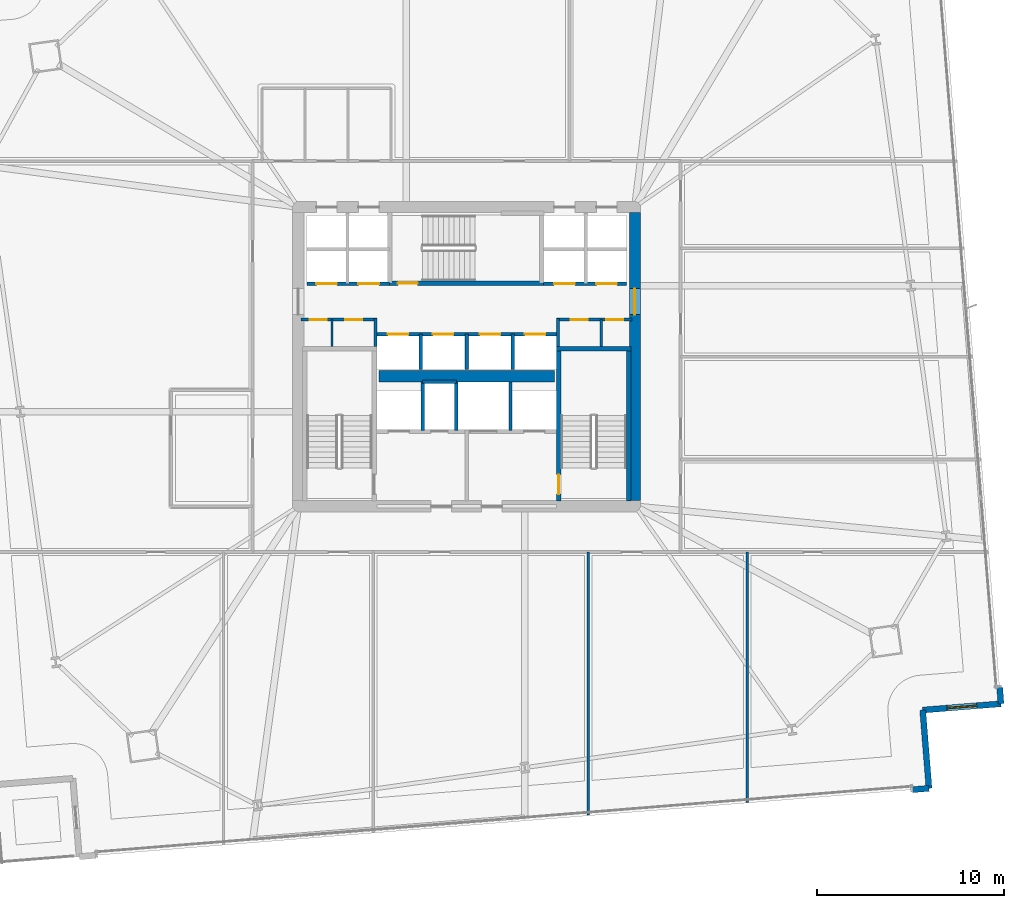
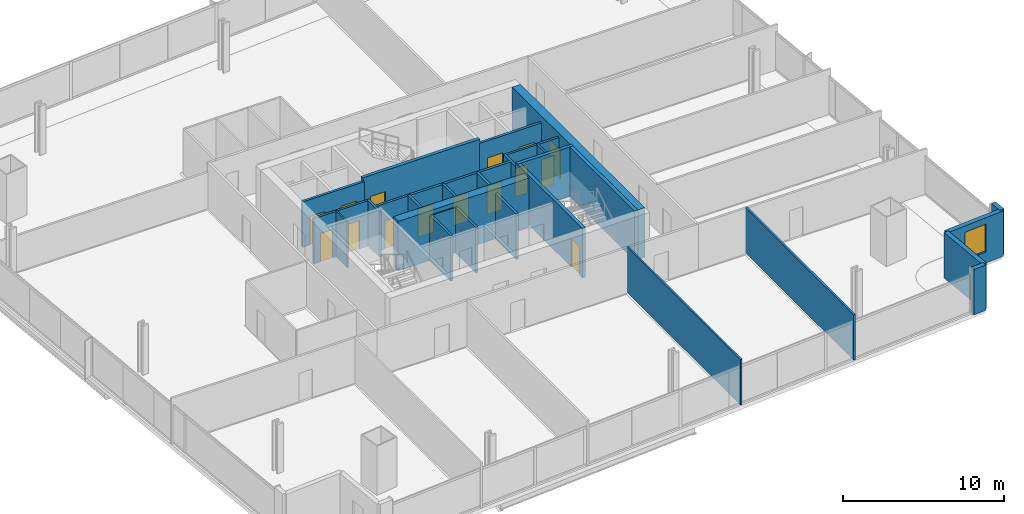
# One storey, part 26 of 33: 28 walls, 15 doors, 1 window, 16 openings.
"""IFC4 building model written with IfcOpenShell, lengths in metres."""

from ifc_helpers import new_model, si_unit, direction, frame, frame_2d, origin, place, context, subcontext, project, spatial, rectangle, extrude, material, layer, layer_set, type_object, element, fill, save


model = new_model("IFC4")

# Units and contexts
model_context = context("Model", 3, precision=1e-05, world=origin(), true_north=direction((0.0, 1.0)))
body_context = subcontext(model_context, "Body", "Model", "MODEL_VIEW")
ifc_project = project(units=[si_unit("LENGTHUNIT", "METRE"), si_unit("AREAUNIT", "SQUARE_METRE"), si_unit("VOLUMEUNIT", "CUBIC_METRE"), si_unit("PLANEANGLEUNIT", "RADIAN"), si_unit("MASSUNIT", "GRAM", prefix="KILO")], contexts=[model_context])

# Site, building, storey
site_placement = place(None, origin())
site = spatial("IfcSite", under=ifc_project, at=site_placement, CompositionType="ELEMENT")
building_placement = place(site_placement, origin())
building = spatial("IfcBuilding", under=site, at=building_placement, Name="Haldenkirk Collegiate Tower", CompositionType="ELEMENT")
storey_placement = place(building_placement, frame((0.0, 0.0, 43.949951171875)))
storey = spatial("IfcBuildingStorey", under=building, at=storey_placement, Name="L09", CompositionType="ELEMENT", Elevation=43.949951171875)

# Wall, opening, door
ifc_material_1 = material(Name="Concrete f'c 70 MPa", Category="concrete")
ifc_layer_1 = layer(ifc_material_1, 0.60009765625)
ifc_layer_set_1 = layer_set([ifc_layer_1], Name="Concrete f'c 70 MPa")
wall_type_1 = type_object("IfcWallType", Name="WL-CORE-600", PredefinedType="SHEAR", material=ifc_layer_set_1)
wall_1_placement = place(storey_placement, frame((45.0, 18.300048828125, 0.0), z_axis=(0.0, 0.0, 1.0), x_axis=(0.0, 1.0, 0.0)))
wall_1 = element("IfcWall", 1, at=wall_1_placement, inside=storey, type_object=wall_type_1, Name="L09 central core shear wall E", PredefinedType="SHEAR", context=body_context, shape_type="SweptSolid", body=[
    extrude(rectangle(XDim=15.39990234375, YDim=0.60009765625, at=frame_2d((7.699951171875, 0.0))), origin(), (0.0, 0.0, 1.0), 3.75),
])
opening_1_placement = place(wall_1_placement, frame((9.93994140625, 0.0, 0.0)))
opening_1 = element("IfcOpeningElement", 2, at=opening_1_placement, cuts=wall_1, Name="Opening D-03", PredefinedType="OPENING", context=body_context, shape_type="SweptSolid", body=[
    extrude(rectangle(XDim=1.39990234375, YDim=2.199951171875, at=frame_2d((0.699951171875, 1.10009765625))), frame((0.0, 0.31005859375, 0.0), z_axis=(0.0, -1.0, 0.0), x_axis=(1.0, 0.0, 0.0)), (0.0, 0.0, 1.0), 0.6201171875),
])
ifc_material_2 = material(Name="Galvanized fire-rated hollow steel door", Category="steel")
ifc_layer_2 = layer(ifc_material_2, 0.06005859375)
ifc_layer_set_2 = layer_set([ifc_layer_2], Name="Galvanized fire-rated hollow steel door")
door_type_1 = type_object("IfcDoorType", Name="DR-LOBBY-FD90-1400", OperationType="NOTDEFINED", PredefinedType="DOOR", material=ifc_layer_set_2)
door_1_placement = place(opening_1_placement, origin())
door_1 = element("IfcDoor", 3, at=door_1_placement, inside=storey, type_object=door_type_1, Name="L09 east lift lobby portal", OperationType="DOUBLE_DOOR_SINGLE_SWING", OverallHeight=2.199951171875, OverallWidth=1.39990234375, PredefinedType="DOOR", context=body_context, shape_type="SweptSolid", body=[
    extrude(rectangle(XDim=1.39990234375, YDim=2.199951171875, at=frame_2d((0.699951171875, 1.10009765625))), frame((0.0, 0.02490234375, 0.0), z_axis=(0.0, -1.0, 0.0), x_axis=(1.0, 0.0, 0.0)), (0.0, 0.0, 1.0), 0.050048828125),
])
fill(opening_1, door_1)

# Walls
wall_2_placement = place(storey_placement, frame((31.31005859375, 24.949951171875, 0.0), z_axis=(0.0, 0.0, 1.0), x_axis=(1.0, 0.0, 0.0)))
element("IfcWall", 4, at=wall_2_placement, inside=storey, type_object=wall_type_1, Name="L09 central core spine shear wall", PredefinedType="SHEAR", context=body_context, shape_type="SweptSolid", body=[
    extrude(rectangle(XDim=9.3798828125, YDim=0.60009765625, at=frame_2d((4.68994140625, 0.0))), origin(), (0.0, 0.0, 1.0), 3.75),
])
ifc_material_3 = material(Name="Precast concrete f'c 40 MPa", Category="concrete")
ifc_layer_3 = layer(ifc_material_3, 0.320068359375)
ifc_layer_set_3 = layer_set([ifc_layer_3], Name="Precast concrete f'c 40 MPa")
wall_type_2 = type_object("IfcWallType", Name="WL-EXT-TWR-320", PredefinedType="STANDARD", material=ifc_layer_set_3)
wall_3_placement = place(storey_placement, frame((60.7314453125, 2.9091796875, 0.0), z_axis=(0.0, 0.0, 1.0), x_axis=(-0.996770262962, -0.080305932999, 0.0)))
element("IfcWall", 5, at=wall_3_placement, inside=storey, type_object=wall_type_2, Name="L09 precast corner pier SL", PredefinedType="STANDARD", context=body_context, shape_type="SweptSolid", body=[
    extrude(rectangle(XDim=0.89990234375, YDim=0.320068359375, at=frame_2d((0.449951171875, 0.0))), origin(), (0.0, 0.0, 1.0), 3.43994140625),
])
wall_4_placement = place(storey_placement, frame((60.394775390625, 7.095458984375, 0.0), z_axis=(0.0, 0.0, 1.0), x_axis=(0.080163411253, -0.996781735134, 0.0)))
element("IfcWall", 6, at=wall_4_placement, inside=storey, type_object=wall_type_2, Name="L09 bronze precast notch wall 02", PredefinedType="STANDARD", context=body_context, shape_type="SweptSolid", body=[
    extrude(rectangle(XDim=4.19970703125, YDim=0.320068359375, at=frame_2d((2.099853515625, 0.0))), origin(), (0.0, 0.0, 1.0), 3.43994140625),
])

# Wall, opening, window
wall_5_placement = place(storey_placement, frame((64.581298828125, 7.432373046875, 0.0), z_axis=(0.0, 0.0, 1.0), x_axis=(-0.996777462523, -0.080216520777, 0.0)))
wall_5 = element("IfcWall", 7, at=wall_5_placement, inside=storey, type_object=wall_type_2, Name="L09 bronze precast notch wall 03", PredefinedType="STANDARD", context=body_context, shape_type="SweptSolid", body=[
    extrude(rectangle(XDim=4.199951171875, YDim=0.320068359375, at=frame_2d((2.10009765625, 0.0))), origin(), (0.0, 0.0, 1.0), 3.43994140625),
])
opening_2_placement = place(wall_5_placement, frame((1.300048828125, 0.0, 0.85009765625)))
opening_2 = element("IfcOpeningElement", 8, at=opening_2_placement, cuts=wall_5, Name="Opening W-03", PredefinedType="OPENING", context=body_context, shape_type="SweptSolid", body=[
    extrude(rectangle(XDim=1.60009765625, YDim=2.10009765625, at=frame_2d((0.800048828125, 1.050048828125))), frame((0.0, 0.169921875, 0.0), z_axis=(0.0, -1.0, 0.0), x_axis=(1.0, 0.0, 0.0)), (0.0, 0.0, 1.0), 0.340087890625),
])
ifc_material_4 = material(Name="Low-E argon triple insulating glass", Category="glass")
ifc_layer_4 = layer(ifc_material_4, 0.090087890625)
ifc_layer_set_4 = layer_set([ifc_layer_4], Name="Low-E argon triple insulating glass")
window_type = type_object("IfcWindowType", Name="WN-Z1-1600X2100", PartitioningType="SINGLE_PANEL", PredefinedType="WINDOW", material=ifc_layer_set_4)
window_placement = place(opening_2_placement, origin())
window = element("IfcWindow", 9, at=window_placement, inside=storey, type_object=window_type, Name="L09 precast-frame academic window 2", OverallHeight=2.10009765625, OverallWidth=1.60009765625, PartitioningType="SINGLE_PANEL", PredefinedType="WINDOW", context=body_context, shape_type="SweptSolid", body=[
    extrude(rectangle(XDim=1.60009765625, YDim=2.10009765625, at=frame_2d((0.800048828125, 1.050048828125))), frame((0.0, 0.030029296875, 0.0), z_axis=(0.0, -1.0, 0.0), x_axis=(1.0, 0.0, 0.0)), (0.0, 0.0, 1.0), 0.06005859375),
])
fill(opening_2, window)

# Wall
wall_6_placement = place(storey_placement, frame((64.509033203125, 8.32958984375, 0.0), z_axis=(0.0, 0.0, 1.0), x_axis=(0.080284221911, -0.996772011902, 0.0)))
element("IfcWall", 10, at=wall_6_placement, inside=storey, type_object=wall_type_2, Name="L09 precast corner pier ER", PredefinedType="STANDARD", context=body_context, shape_type="SweptSolid", body=[
    extrude(rectangle(XDim=0.900146484375, YDim=0.320068359375, at=frame_2d((0.4501953125, 0.0))), origin(), (0.0, 0.0, 1.0), 3.43994140625),
])

# Wall, openings, doors
ifc_material_5 = material(Name="Acoustic fire-rated gypsum partition", Category="concrete")
ifc_layer_5 = layer(ifc_material_5, 0.159912109375)
ifc_layer_set_5 = layer_set([ifc_layer_5], Name="Acoustic fire-rated gypsum partition")
wall_type_3 = type_object("IfcWallType", Name="WL-INT-CORR-160", PredefinedType="PARTITIONING", material=ifc_layer_set_5)
wall_7_placement = place(storey_placement, frame((27.14990234375, 27.97998046875, 0.0), z_axis=(0.0, 0.0, 1.0), x_axis=(1.0, 0.0, 0.0)))
wall_7 = element("IfcWall", 11, at=wall_7_placement, inside=storey, type_object=wall_type_3, Name="L09 interior partition IW-L09-VCSW-N", PredefinedType="PARTITIONING", context=body_context, shape_type="SweptSolid", body=[
    extrude(rectangle(XDim=4.050048828125, YDim=0.159912109375, at=frame_2d((2.02490234375, 0.0))), origin(), (0.0, 0.0, 1.0), 3.43994140625),
])
opening_3_placement = place(wall_7_placement, frame((0.469970703125, 0.0, 0.0)))
opening_3 = element("IfcOpeningElement", 12, at=opening_3_placement, cuts=wall_7, Name="Opening D-11", PredefinedType="OPENING", context=body_context, shape_type="SweptSolid", body=[
    extrude(rectangle(XDim=0.89990234375, YDim=2.14990234375, at=frame_2d((0.449951171875, 1.074951171875))), frame((0.0, 0.08984375, 0.0), z_axis=(0.0, -1.0, 0.0), x_axis=(1.0, 0.0, 0.0)), (0.0, 0.0, 1.0), 0.179931640625),
])
opening_4_placement = place(wall_7_placement, frame((2.360107421875, 0.0, 0.0)))
opening_4 = element("IfcOpeningElement", 13, at=opening_4_placement, cuts=wall_7, Name="Opening D-11", PredefinedType="OPENING", context=body_context, shape_type="SweptSolid", body=[
    extrude(rectangle(XDim=0.89990234375, YDim=2.14990234375, at=frame_2d((0.449951171875, 1.074951171875))), frame((0.0, 0.08984375, 0.0), z_axis=(0.0, -1.0, 0.0), x_axis=(1.0, 0.0, 0.0)), (0.0, 0.0, 1.0), 0.179931640625),
])
ifc_material_6 = material(Name="Solid-core architectural oak fire door", Category="wood")
ifc_layer_6 = layer(ifc_material_6, 0.06005859375)
ifc_layer_set_6 = layer_set([ifc_layer_6], Name="Solid-core architectural oak fire door")
door_type_2 = type_object("IfcDoorType", Name="DR-INT-FD60-900", OperationType="NOTDEFINED", PredefinedType="DOOR", material=ifc_layer_set_6)
door_2_placement = place(opening_3_placement, origin())
door_2 = element("IfcDoor", 14, at=door_2_placement, inside=storey, type_object=door_type_2, Name="L09 core AV closet door", OperationType="SINGLE_SWING_RIGHT", OverallHeight=2.14990234375, OverallWidth=0.89990234375, PredefinedType="DOOR", context=body_context, shape_type="SweptSolid", body=[
    extrude(rectangle(XDim=0.89990234375, YDim=2.14990234375, at=frame_2d((0.449951171875, 1.074951171875))), frame((0.0, 0.02490234375, 0.0), z_axis=(0.0, -1.0, 0.0), x_axis=(1.0, 0.0, 0.0)), (0.0, 0.0, 1.0), 0.050048828125),
])
fill(opening_3, door_2)
door_3_placement = place(opening_4_placement, origin())
door_3 = element("IfcDoor", 15, at=door_3_placement, inside=storey, type_object=door_type_2, Name="L09 core supply closet door", OperationType="SINGLE_SWING_LEFT", OverallHeight=2.14990234375, OverallWidth=0.89990234375, PredefinedType="DOOR", context=body_context, shape_type="SweptSolid", body=[
    extrude(rectangle(XDim=0.89990234375, YDim=2.14990234375, at=frame_2d((0.449951171875, 1.074951171875))), frame((0.0, 0.02490234375, 0.0), z_axis=(0.0, -1.0, 0.0), x_axis=(1.0, 0.0, 0.0)), (0.0, 0.0, 1.0), 0.050048828125),
])
fill(opening_4, door_3)

# Wall
wall_8_placement = place(storey_placement, frame((31.1201171875, 26.5400390625, 0.0), z_axis=(0.0, 0.0, 1.0), x_axis=(0.0, 1.0, 0.0)))
element("IfcWall", 16, at=wall_8_placement, inside=storey, type_object=wall_type_3, Name="L09 interior partition IW-L09-VCSW-E", PredefinedType="PARTITIONING", context=body_context, shape_type="SweptSolid", body=[
    extrude(rectangle(XDim=1.510009765625, YDim=0.159912109375, at=frame_2d((0.7548828125, 0.0))), origin(), (0.0, 0.0, 1.0), 3.43994140625),
])

# Wall, openings, doors
wall_9_placement = place(storey_placement, frame((40.800048828125, 27.97998046875, 0.0), z_axis=(0.0, 0.0, 1.0), x_axis=(1.0, 0.0, 0.0)))
wall_9 = element("IfcWall", 17, at=wall_9_placement, inside=storey, type_object=wall_type_3, Name="L09 interior partition IW-L09-VCSE-N", PredefinedType="PARTITIONING", context=body_context, shape_type="SweptSolid", body=[
    extrude(rectangle(XDim=4.050048828125, YDim=0.159912109375, at=frame_2d((2.02490234375, 0.0))), origin(), (0.0, 0.0, 1.0), 3.43994140625),
])
opening_5_placement = place(wall_9_placement, frame((0.77001953125, 0.0, 0.0)))
opening_5 = element("IfcOpeningElement", 18, at=opening_5_placement, cuts=wall_9, Name="Opening D-11", PredefinedType="OPENING", context=body_context, shape_type="SweptSolid", body=[
    extrude(rectangle(XDim=0.89990234375, YDim=2.14990234375, at=frame_2d((0.449951171875, 1.074951171875))), frame((0.0, 0.08984375, 0.0), z_axis=(0.0, -1.0, 0.0), x_axis=(1.0, 0.0, 0.0)), (0.0, 0.0, 1.0), 0.179931640625),
])
opening_6_placement = place(wall_9_placement, frame((2.679931640625, 0.0, 0.0)))
opening_6 = element("IfcOpeningElement", 19, at=opening_6_placement, cuts=wall_9, Name="Opening D-11", PredefinedType="OPENING", context=body_context, shape_type="SweptSolid", body=[
    extrude(rectangle(XDim=0.89990234375, YDim=2.14990234375, at=frame_2d((0.449951171875, 1.074951171875))), frame((0.0, 0.08984375, 0.0), z_axis=(0.0, -1.0, 0.0), x_axis=(1.0, 0.0, 0.0)), (0.0, 0.0, 1.0), 0.179931640625),
])
door_4_placement = place(opening_5_placement, origin())
door_4 = element("IfcDoor", 20, at=door_4_placement, inside=storey, type_object=door_type_2, Name="L09 core archive door", OperationType="SINGLE_SWING_RIGHT", OverallHeight=2.14990234375, OverallWidth=0.89990234375, PredefinedType="DOOR", context=body_context, shape_type="SweptSolid", body=[
    extrude(rectangle(XDim=0.89990234375, YDim=2.14990234375, at=frame_2d((0.449951171875, 1.074951171875))), frame((0.0, 0.02490234375, 0.0), z_axis=(0.0, -1.0, 0.0), x_axis=(1.0, 0.0, 0.0)), (0.0, 0.0, 1.0), 0.050048828125),
])
fill(opening_5, door_4)
door_5_placement = place(opening_6_placement, origin())
door_5 = element("IfcDoor", 21, at=door_5_placement, inside=storey, type_object=door_type_2, Name="L09 core telecom door", OperationType="SINGLE_SWING_LEFT", OverallHeight=2.14990234375, OverallWidth=0.89990234375, PredefinedType="DOOR", context=body_context, shape_type="SweptSolid", body=[
    extrude(rectangle(XDim=0.89990234375, YDim=2.14990234375, at=frame_2d((0.449951171875, 1.074951171875))), frame((0.0, 0.02490234375, 0.0), z_axis=(0.0, -1.0, 0.0), x_axis=(1.0, 0.0, 0.0)), (0.0, 0.0, 1.0), 0.050048828125),
])
fill(opening_6, door_5)

# Walls
wall_10_placement = place(storey_placement, frame((40.8798828125, 26.5400390625, 0.0), z_axis=(0.0, 0.0, 1.0), x_axis=(0.0, 1.0, 0.0)))
element("IfcWall", 22, at=wall_10_placement, inside=storey, type_object=wall_type_3, Name="L09 interior partition IW-L09-VCSE-W", PredefinedType="PARTITIONING", context=body_context, shape_type="SweptSolid", body=[
    extrude(rectangle(XDim=1.510009765625, YDim=0.159912109375, at=frame_2d((0.7548828125, 0.0))), origin(), (0.0, 0.0, 1.0), 3.43994140625),
])
ifc_layer_7 = layer(ifc_material_5, 0.139892578125)
ifc_layer_set_7 = layer_set([ifc_layer_7], Name="Acoustic fire-rated gypsum partition")
wall_type_4 = type_object("IfcWallType", Name="WL-INT-DIV-140", PredefinedType="PARTITIONING", material=ifc_layer_set_7)
wall_11_placement = place(storey_placement, frame((51.0, 2.166259765625, 0.0), z_axis=(0.0, 0.0, 1.0), x_axis=(0.0, 1.0, 0.0)))
element("IfcWall", 23, at=wall_11_placement, inside=storey, type_object=wall_type_4, Name="L09 interior partition IW-L09-RS4", PredefinedType="PARTITIONING", context=body_context, shape_type="SweptSolid", body=[
    extrude(rectangle(XDim=13.3837890625, YDim=0.139892578125, at=frame_2d((6.69189453125, 0.0))), origin(), (0.0, 0.0, 1.0), 3.43994140625),
])
ifc_material_7 = material(Name="Fire-rated gypsum shaftboard assembly", Category="concrete")
ifc_layer_8 = layer(ifc_material_7, 0.179931640625)
ifc_layer_set_8 = layer_set([ifc_layer_8], Name="Fire-rated gypsum shaftboard assembly")
wall_type_5 = type_object("IfcWallType", Name="WL-INT-SHAFT-180", PredefinedType="PARTITIONING", material=ifc_layer_set_8)
for number, where, z_axis, x_axis, name in (
    (24, (33.64990234375, 22.050048828125, 0.0), (0.0, 0.0, 1.0), (0.0, 1.0, 0.0), "L09 interior partition IW-L09-FL1E"),
    (25, (35.449951171875, 22.050048828125, 0.0), (0.0, 0.0, 1.0), (0.0, 1.0, 0.0), "L09 interior partition IW-L09-GL1W"),
):
    element("IfcWall", number, at=place(storey_placement, frame(where, z_axis=z_axis, x_axis=x_axis)), inside=storey, type_object=wall_type_5, Name=name, PredefinedType="PARTITIONING", context=body_context, shape_type="SweptSolid", body=[
        extrude(rectangle(XDim=2.599853515625, YDim=0.179931640625, at=frame_2d((1.2998046875, 0.0))), origin(), (0.0, 0.0, 1.0), 3.43994140625),
    ])
wall_12_placement = place(storey_placement, frame((33.64990234375, 24.64990234375, 0.0), z_axis=(0.0, 0.0, 1.0), x_axis=(1.0, 0.0, 0.0)))
element("IfcWall", 26, at=wall_12_placement, inside=storey, type_object=wall_type_5, Name="L09 interior partition IW-L09-RSRN", PredefinedType="PARTITIONING", context=body_context, shape_type="SweptSolid", body=[
    extrude(rectangle(XDim=1.800048828125, YDim=0.179931640625, at=frame_2d((0.89990234375, 0.0))), origin(), (0.0, 0.0, 1.0), 3.43994140625),
])
wall_13_placement = place(storey_placement, frame((38.35009765625, 22.050048828125, 0.0), z_axis=(0.0, 0.0, 1.0), x_axis=(0.0, 1.0, 0.0)))
element("IfcWall", 27, at=wall_13_placement, inside=storey, type_object=wall_type_5, Name="L09 interior partition IW-L09-GL1E", PredefinedType="PARTITIONING", context=body_context, shape_type="SweptSolid", body=[
    extrude(rectangle(XDim=2.599853515625, YDim=0.179931640625, at=frame_2d((1.2998046875, 0.0))), origin(), (0.0, 0.0, 1.0), 3.43994140625),
])

# Wall, openings, doors
wall_14_placement = place(storey_placement, frame((27.449951171875, 29.89990234375, 0.0), z_axis=(0.0, 0.0, 1.0), x_axis=(1.0, 0.0, 0.0)))
wall_14 = element("IfcWall", 28, at=wall_14_placement, inside=storey, type_object=wall_type_5, Name="L09 interior partition IW-L09-PLS", PredefinedType="PARTITIONING", context=body_context, shape_type="SweptSolid", body=[
    extrude(rectangle(XDim=4.429931640625, YDim=0.179931640625, at=frame_2d((2.21484375, 0.0))), origin(), (0.0, 0.0, 1.0), 3.43994140625),
])
opening_7_placement = place(wall_14_placement, frame((0.514892578125, 0.0, 0.0)))
opening_7 = element("IfcOpeningElement", 29, at=opening_7_placement, cuts=wall_14, Name="Opening LD-11", PredefinedType="OPENING", context=body_context, shape_type="SweptSolid", body=[
    extrude(rectangle(XDim=1.10009765625, YDim=2.14990234375, at=frame_2d((0.550048828125, 1.074951171875))), frame((0.0, 0.099853515625, 0.0), z_axis=(0.0, -1.0, 0.0), x_axis=(1.0, 0.0, 0.0)), (0.0, 0.0, 1.0), 0.199951171875),
])
opening_8_placement = place(wall_14_placement, frame((2.764892578125, 0.0, 0.0)))
opening_8 = element("IfcOpeningElement", 30, at=opening_8_placement, cuts=wall_14, Name="Opening LD-11", PredefinedType="OPENING", context=body_context, shape_type="SweptSolid", body=[
    extrude(rectangle(XDim=1.10009765625, YDim=2.14990234375, at=frame_2d((0.550048828125, 1.074951171875))), frame((0.0, 0.099853515625, 0.0), z_axis=(0.0, -1.0, 0.0), x_axis=(1.0, 0.0, 0.0)), (0.0, 0.0, 1.0), 0.199951171875),
])
ifc_material_8 = material(Name="Brushed architectural stainless steel", Category="steel")
ifc_layer_9 = layer(ifc_material_8, 0.06005859375)
ifc_layer_set_9 = layer_set([ifc_layer_9], Name="Brushed architectural stainless steel")
door_type_3 = type_object("IfcDoorType", Name="LD-PASS-1100", OperationType="NOTDEFINED", PredefinedType="DOOR", material=ifc_layer_set_9)
door_6_placement = place(opening_7_placement, origin())
door_6 = element("IfcDoor", 31, at=door_6_placement, inside=storey, type_object=door_type_3, Name="L09 Elevator PL1 sliding landing door", OperationType="SLIDING_TO_LEFT", OverallHeight=2.14990234375, OverallWidth=1.10009765625, PredefinedType="DOOR", context=body_context, shape_type="SweptSolid", body=[
    extrude(rectangle(XDim=1.10009765625, YDim=2.14990234375, at=frame_2d((0.550048828125, 1.074951171875))), frame((0.0, 0.02490234375, 0.0), z_axis=(0.0, -1.0, 0.0), x_axis=(1.0, 0.0, 0.0)), (0.0, 0.0, 1.0), 0.050048828125),
])
fill(opening_7, door_6)
door_7_placement = place(opening_8_placement, origin())
door_7 = element("IfcDoor", 32, at=door_7_placement, inside=storey, type_object=door_type_3, Name="L09 Elevator PL2 sliding landing door", OperationType="SLIDING_TO_LEFT", OverallHeight=2.14990234375, OverallWidth=1.10009765625, PredefinedType="DOOR", context=body_context, shape_type="SweptSolid", body=[
    extrude(rectangle(XDim=1.10009765625, YDim=2.14990234375, at=frame_2d((0.550048828125, 1.074951171875))), frame((0.0, 0.02490234375, 0.0), z_axis=(0.0, -1.0, 0.0), x_axis=(1.0, 0.0, 0.0)), (0.0, 0.0, 1.0), 0.050048828125),
])
fill(opening_8, door_7)

wall_15_placement = place(storey_placement, frame((40.1201171875, 29.89990234375, 0.0), z_axis=(0.0, 0.0, 1.0), x_axis=(1.0, 0.0, 0.0)))
wall_15 = element("IfcWall", 33, at=wall_15_placement, inside=storey, type_object=wall_type_5, Name="L09 interior partition IW-L09-PMS", PredefinedType="PARTITIONING", context=body_context, shape_type="SweptSolid", body=[
    extrude(rectangle(XDim=4.429931640625, YDim=0.179931640625, at=frame_2d((2.21484375, 0.0))), origin(), (0.0, 0.0, 1.0), 3.43994140625),
])
opening_9_placement = place(wall_15_placement, frame((0.56494140625, 0.0, 0.0)))
opening_9 = element("IfcOpeningElement", 34, at=opening_9_placement, cuts=wall_15, Name="Opening LD-11", PredefinedType="OPENING", context=body_context, shape_type="SweptSolid", body=[
    extrude(rectangle(XDim=1.10009765625, YDim=2.14990234375, at=frame_2d((0.550048828125, 1.074951171875))), frame((0.0, 0.099853515625, 0.0), z_axis=(0.0, -1.0, 0.0), x_axis=(1.0, 0.0, 0.0)), (0.0, 0.0, 1.0), 0.199951171875),
])
opening_10_placement = place(wall_15_placement, frame((2.81494140625, 0.0, 0.0)))
opening_10 = element("IfcOpeningElement", 35, at=opening_10_placement, cuts=wall_15, Name="Opening LD-11", PredefinedType="OPENING", context=body_context, shape_type="SweptSolid", body=[
    extrude(rectangle(XDim=1.10009765625, YDim=2.14990234375, at=frame_2d((0.550048828125, 1.074951171875))), frame((0.0, 0.099853515625, 0.0), z_axis=(0.0, -1.0, 0.0), x_axis=(1.0, 0.0, 0.0)), (0.0, 0.0, 1.0), 0.199951171875),
])
door_8_placement = place(opening_9_placement, origin())
door_8 = element("IfcDoor", 36, at=door_8_placement, inside=storey, type_object=door_type_3, Name="L09 Elevator PM1 sliding landing door", OperationType="SLIDING_TO_LEFT", OverallHeight=2.14990234375, OverallWidth=1.10009765625, PredefinedType="DOOR", context=body_context, shape_type="SweptSolid", body=[
    extrude(rectangle(XDim=1.10009765625, YDim=2.14990234375, at=frame_2d((0.550048828125, 1.074951171875))), frame((0.0, 0.02490234375, 0.0), z_axis=(0.0, -1.0, 0.0), x_axis=(1.0, 0.0, 0.0)), (0.0, 0.0, 1.0), 0.050048828125),
])
fill(opening_9, door_8)
door_9_placement = place(opening_10_placement, origin())
door_9 = element("IfcDoor", 37, at=door_9_placement, inside=storey, type_object=door_type_3, Name="L09 Elevator PM2 sliding landing door", OperationType="SLIDING_TO_LEFT", OverallHeight=2.14990234375, OverallWidth=1.10009765625, PredefinedType="DOOR", context=body_context, shape_type="SweptSolid", body=[
    extrude(rectangle(XDim=1.10009765625, YDim=2.14990234375, at=frame_2d((0.550048828125, 1.074951171875))), frame((0.0, 0.02490234375, 0.0), z_axis=(0.0, -1.0, 0.0), x_axis=(1.0, 0.0, 0.0)), (0.0, 0.0, 1.0), 0.050048828125),
])
fill(opening_10, door_9)

wall_16_placement = place(storey_placement, frame((31.199951171875, 27.199951171875, 0.0), z_axis=(0.0, 0.0, 1.0), x_axis=(1.0, 0.0, 0.0)))
wall_16 = element("IfcWall", 38, at=wall_16_placement, inside=storey, type_object=wall_type_5, Name="L09 interior partition IW-L09-PHN", PredefinedType="PARTITIONING", context=body_context, shape_type="SweptSolid", body=[
    extrude(rectangle(XDim=9.60009765625, YDim=0.179931640625, at=frame_2d((4.800048828125, 0.0))), origin(), (0.0, 0.0, 1.0), 3.43994140625),
])
opening_11_placement = place(wall_16_placement, frame((0.590087890625, 0.0, 0.0)))
opening_11 = element("IfcOpeningElement", 39, at=opening_11_placement, cuts=wall_16, Name="Opening LD-11", PredefinedType="OPENING", context=body_context, shape_type="SweptSolid", body=[
    extrude(rectangle(XDim=1.10009765625, YDim=2.14990234375, at=frame_2d((0.550048828125, 1.074951171875))), frame((0.0, 0.099853515625, 0.0), z_axis=(0.0, -1.0, 0.0), x_axis=(1.0, 0.0, 0.0)), (0.0, 0.0, 1.0), 0.199951171875),
])
opening_12_placement = place(wall_16_placement, frame((2.989990234375, 0.0, 0.0)))
opening_12 = element("IfcOpeningElement", 40, at=opening_12_placement, cuts=wall_16, Name="Opening LD-11", PredefinedType="OPENING", context=body_context, shape_type="SweptSolid", body=[
    extrude(rectangle(XDim=1.10009765625, YDim=2.14990234375, at=frame_2d((0.550048828125, 1.074951171875))), frame((0.0, 0.099853515625, 0.0), z_axis=(0.0, -1.0, 0.0), x_axis=(1.0, 0.0, 0.0)), (0.0, 0.0, 1.0), 0.199951171875),
])
opening_13_placement = place(wall_16_placement, frame((5.510009765625, 0.0, 0.0)))
opening_13 = element("IfcOpeningElement", 41, at=opening_13_placement, cuts=wall_16, Name="Opening LD-11", PredefinedType="OPENING", context=body_context, shape_type="SweptSolid", body=[
    extrude(rectangle(XDim=1.10009765625, YDim=2.14990234375, at=frame_2d((0.550048828125, 1.074951171875))), frame((0.0, 0.099853515625, 0.0), z_axis=(0.0, -1.0, 0.0), x_axis=(1.0, 0.0, 0.0)), (0.0, 0.0, 1.0), 0.199951171875),
])
opening_14_placement = place(wall_16_placement, frame((7.909912109375, 0.0, 0.0)))
opening_14 = element("IfcOpeningElement", 42, at=opening_14_placement, cuts=wall_16, Name="Opening LD-11", PredefinedType="OPENING", context=body_context, shape_type="SweptSolid", body=[
    extrude(rectangle(XDim=1.10009765625, YDim=2.14990234375, at=frame_2d((0.550048828125, 1.074951171875))), frame((0.0, 0.099853515625, 0.0), z_axis=(0.0, -1.0, 0.0), x_axis=(1.0, 0.0, 0.0)), (0.0, 0.0, 1.0), 0.199951171875),
])
door_10_placement = place(opening_11_placement, origin())
door_10 = element("IfcDoor", 43, at=door_10_placement, inside=storey, type_object=door_type_3, Name="L09 Elevator PH1 sliding landing door", OperationType="SLIDING_TO_LEFT", OverallHeight=2.14990234375, OverallWidth=1.10009765625, PredefinedType="DOOR", context=body_context, shape_type="SweptSolid", body=[
    extrude(rectangle(XDim=1.10009765625, YDim=2.14990234375, at=frame_2d((0.550048828125, 1.074951171875))), frame((0.0, 0.02490234375, 0.0), z_axis=(0.0, -1.0, 0.0), x_axis=(1.0, 0.0, 0.0)), (0.0, 0.0, 1.0), 0.050048828125),
])
fill(opening_11, door_10)
door_11_placement = place(opening_12_placement, origin())
door_11 = element("IfcDoor", 44, at=door_11_placement, inside=storey, type_object=door_type_3, Name="L09 Elevator PH2 sliding landing door", OperationType="SLIDING_TO_LEFT", OverallHeight=2.14990234375, OverallWidth=1.10009765625, PredefinedType="DOOR", context=body_context, shape_type="SweptSolid", body=[
    extrude(rectangle(XDim=1.10009765625, YDim=2.14990234375, at=frame_2d((0.550048828125, 1.074951171875))), frame((0.0, 0.02490234375, 0.0), z_axis=(0.0, -1.0, 0.0), x_axis=(1.0, 0.0, 0.0)), (0.0, 0.0, 1.0), 0.050048828125),
])
fill(opening_12, door_11)
door_12_placement = place(opening_13_placement, origin())
door_12 = element("IfcDoor", 45, at=door_12_placement, inside=storey, type_object=door_type_3, Name="L09 Elevator PH3 sliding landing door", OperationType="SLIDING_TO_LEFT", OverallHeight=2.14990234375, OverallWidth=1.10009765625, PredefinedType="DOOR", context=body_context, shape_type="SweptSolid", body=[
    extrude(rectangle(XDim=1.10009765625, YDim=2.14990234375, at=frame_2d((0.550048828125, 1.074951171875))), frame((0.0, 0.02490234375, 0.0), z_axis=(0.0, -1.0, 0.0), x_axis=(1.0, 0.0, 0.0)), (0.0, 0.0, 1.0), 0.050048828125),
])
fill(opening_13, door_12)
door_13_placement = place(opening_14_placement, origin())
door_13 = element("IfcDoor", 46, at=door_13_placement, inside=storey, type_object=door_type_3, Name="L09 Elevator PH4 sliding landing door", OperationType="SLIDING_TO_LEFT", OverallHeight=2.14990234375, OverallWidth=1.10009765625, PredefinedType="DOOR", context=body_context, shape_type="SweptSolid", body=[
    extrude(rectangle(XDim=1.10009765625, YDim=2.14990234375, at=frame_2d((0.550048828125, 1.074951171875))), frame((0.0, 0.02490234375, 0.0), z_axis=(0.0, -1.0, 0.0), x_axis=(1.0, 0.0, 0.0)), (0.0, 0.0, 1.0), 0.050048828125),
])
fill(opening_14, door_13)

# Walls
for number, where, z_axis, x_axis, name in (
    (47, (33.5400390625, 25.300048828125, 0.0), (0.0, 0.0, 1.0), (0.0, 1.0, 0.0), "L09 interior partition IW-L09-PHV1"),
    (48, (36.0, 25.300048828125, 0.0), (0.0, 0.0, 1.0), (0.0, 1.0, 0.0), "L09 interior partition IW-L09-PHV2"),
    (49, (38.4599609375, 25.300048828125, 0.0), (0.0, 0.0, 1.0), (0.0, 1.0, 0.0), "L09 interior partition IW-L09-PHV3"),
):
    element("IfcWall", number, at=place(storey_placement, frame(where, z_axis=z_axis, x_axis=x_axis)), inside=storey, type_object=wall_type_5, Name=name, PredefinedType="PARTITIONING", context=body_context, shape_type="SweptSolid", body=[
        extrude(rectangle(XDim=1.89990234375, YDim=0.179931640625, at=frame_2d((0.949951171875, 0.0))), origin(), (0.0, 0.0, 1.0), 3.43994140625),
    ])
ifc_layer_10 = layer(ifc_material_5, 0.1201171875)
ifc_layer_set_10 = layer_set([ifc_layer_10], Name="Acoustic fire-rated gypsum partition")
wall_type_6 = type_object("IfcWallType", Name="WL-INT-WET-120", PredefinedType="PARTITIONING", material=ifc_layer_set_10)
for number, where, z_axis, x_axis, name in (
    (50, (28.800048828125, 26.5400390625, 0.0), (0.0, 0.0, 1.0), (0.0, 1.0, 0.0), "L09 interior partition IW-L09-VCSW-M"),
    (51, (43.199951171875, 26.5400390625, 0.0), (0.0, 0.0, 1.0), (0.0, 1.0, 0.0), "L09 interior partition IW-L09-VCSE-M"),
):
    element("IfcWall", number, at=place(storey_placement, frame(where, z_axis=z_axis, x_axis=x_axis)), inside=storey, type_object=wall_type_6, Name=name, PredefinedType="PARTITIONING", context=body_context, shape_type="SweptSolid", body=[
        extrude(rectangle(XDim=1.43994140625, YDim=0.1201171875, at=frame_2d((0.719970703125, 0.0))), origin(), (0.0, 0.0, 1.0), 3.43994140625),
    ])
wall_17_placement = place(storey_placement, frame((42.5, 1.482421875, 0.0), z_axis=(0.0, 0.0, 1.0), x_axis=(0.0, 1.0, 0.0)))
element("IfcWall", 52, at=wall_17_placement, inside=storey, type_object=wall_type_6, Name="L09 interior partition IW-L09-RS3", PredefinedType="PARTITIONING", context=body_context, shape_type="SweptSolid", body=[
    extrude(rectangle(XDim=14.067626953125, YDim=0.1201171875, at=frame_2d((7.03369140625, 0.0))), origin(), (0.0, 0.0, 1.0), 3.43994140625),
])

# Wall, opening, door
ifc_material_9 = material(Name="Concrete f'c 55 MPa", Category="concrete")
ifc_layer_11 = layer(ifc_material_9, 0.239990234375)
ifc_layer_set_11 = layer_set([ifc_layer_11], Name="Concrete f'c 55 MPa")
wall_type_7 = type_object("IfcWallType", Name="WL-SHAFT-240", PredefinedType="SHEAR", material=ifc_layer_set_11)
wall_18_placement = place(storey_placement, frame((40.929931640625, 18.280029296875, 0.0), z_axis=(0.0, 0.0, 1.0), x_axis=(0.0, 1.0, 0.0)))
wall_18 = element("IfcWall", 53, at=wall_18_placement, inside=storey, type_object=wall_type_7, Name="L09 stair shaft shear wall SW-L09-ST2W", PredefinedType="SHEAR", context=body_context, shape_type="SweptSolid", body=[
    extrude(rectangle(XDim=8.260009765625, YDim=0.239990234375, at=frame_2d((4.1298828125, 0.0))), origin(), (0.0, 0.0, 1.0), 3.75),
])
opening_15_placement = place(wall_18_placement, frame((0.364990234375, 0.0, 0.0)))
opening_15 = element("IfcOpeningElement", 54, at=opening_15_placement, cuts=wall_18, Name="Opening D-01", PredefinedType="OPENING", context=body_context, shape_type="SweptSolid", body=[
    extrude(rectangle(XDim=1.050048828125, YDim=2.14990234375, at=frame_2d((0.52490234375, 1.074951171875))), frame((0.0, 0.1298828125, 0.0), z_axis=(0.0, -1.0, 0.0), x_axis=(1.0, 0.0, 0.0)), (0.0, 0.0, 1.0), 0.260009765625),
])
ifc_layer_12 = layer(ifc_material_2, 0.06005859375)
ifc_layer_set_12 = layer_set([ifc_layer_12], Name="Galvanized fire-rated hollow steel door")
door_type_4 = type_object("IfcDoorType", Name="DR-STAIR-FD90-1050", OperationType="NOTDEFINED", PredefinedType="DOOR", material=ifc_layer_set_12)
door_14_placement = place(opening_15_placement, origin())
door_14 = element("IfcDoor", 55, at=door_14_placement, inside=storey, type_object=door_type_4, Name="L09 Stair 2 door", OperationType="SINGLE_SWING_RIGHT", OverallHeight=2.14990234375, OverallWidth=1.050048828125, PredefinedType="DOOR", context=body_context, shape_type="SweptSolid", body=[
    extrude(rectangle(XDim=1.050048828125, YDim=2.14990234375, at=frame_2d((0.52490234375, 1.074951171875))), frame((0.0, 0.02490234375, 0.0), z_axis=(0.0, -1.0, 0.0), x_axis=(1.0, 0.0, 0.0)), (0.0, 0.0, 1.0), 0.050048828125),
])
fill(opening_15, door_14)

# Walls
wall_19_placement = place(storey_placement, frame((40.81005859375, 26.419921875, 0.0), z_axis=(0.0, 0.0, 1.0), x_axis=(1.0, 0.0, 0.0)))
element("IfcWall", 56, at=wall_19_placement, inside=storey, type_object=wall_type_7, Name="L09 stair shaft shear wall SW-L09-ST2N", PredefinedType="SHEAR", context=body_context, shape_type="SweptSolid", body=[
    extrude(rectangle(XDim=3.97998046875, YDim=0.239990234375, at=frame_2d((1.989990234375, 0.0))), origin(), (0.0, 0.0, 1.0), 3.75),
])
wall_20_placement = place(storey_placement, frame((44.669921875, 18.280029296875, 0.0), z_axis=(0.0, 0.0, 1.0), x_axis=(0.0, 1.0, 0.0)))
element("IfcWall", 57, at=wall_20_placement, inside=storey, type_object=wall_type_7, Name="L09 stair shaft shear wall SW-L09-ST2E", PredefinedType="SHEAR", context=body_context, shape_type="SweptSolid", body=[
    extrude(rectangle(XDim=8.260009765625, YDim=0.239990234375, at=frame_2d((4.1298828125, 0.0))), origin(), (0.0, 0.0, 1.0), 3.75),
])

# Wall, opening, door
wall_21_placement = place(storey_placement, frame((31.760009765625, 29.929931640625, 0.0), z_axis=(0.0, 0.0, 1.0), x_axis=(1.0, 0.0, 0.0)))
wall_21 = element("IfcWall", 58, at=wall_21_placement, inside=storey, type_object=wall_type_7, Name="L09 stair shaft shear wall SW-L09-ST3S", PredefinedType="SHEAR", context=body_context, shape_type="SweptSolid", body=[
    extrude(rectangle(XDim=8.3798828125, YDim=0.239990234375, at=frame_2d((4.18994140625, 0.0))), origin(), (0.0, 0.0, 1.0), 3.75),
])
opening_16_placement = place(wall_21_placement, frame((0.56494140625, 0.0, 0.0)))
opening_16 = element("IfcOpeningElement", 59, at=opening_16_placement, cuts=wall_21, Name="Opening D-01", PredefinedType="OPENING", context=body_context, shape_type="SweptSolid", body=[
    extrude(rectangle(XDim=1.050048828125, YDim=2.14990234375, at=frame_2d((0.52490234375, 1.074951171875))), frame((0.0, 0.1298828125, 0.0), z_axis=(0.0, -1.0, 0.0), x_axis=(1.0, 0.0, 0.0)), (0.0, 0.0, 1.0), 0.260009765625),
])
door_15_placement = place(opening_16_placement, origin())
door_15 = element("IfcDoor", 60, at=door_15_placement, inside=storey, type_object=door_type_4, Name="L09 lift lobby Stair 3 door", OperationType="SINGLE_SWING_RIGHT", OverallHeight=2.14990234375, OverallWidth=1.050048828125, PredefinedType="DOOR", context=body_context, shape_type="SweptSolid", body=[
    extrude(rectangle(XDim=1.050048828125, YDim=2.14990234375, at=frame_2d((0.52490234375, 1.074951171875))), frame((0.0, 0.02490234375, 0.0), z_axis=(0.0, -1.0, 0.0), x_axis=(1.0, 0.0, 0.0)), (0.0, 0.0, 1.0), 0.050048828125),
])
fill(opening_16, door_15)

save(model, "model.ifc")
